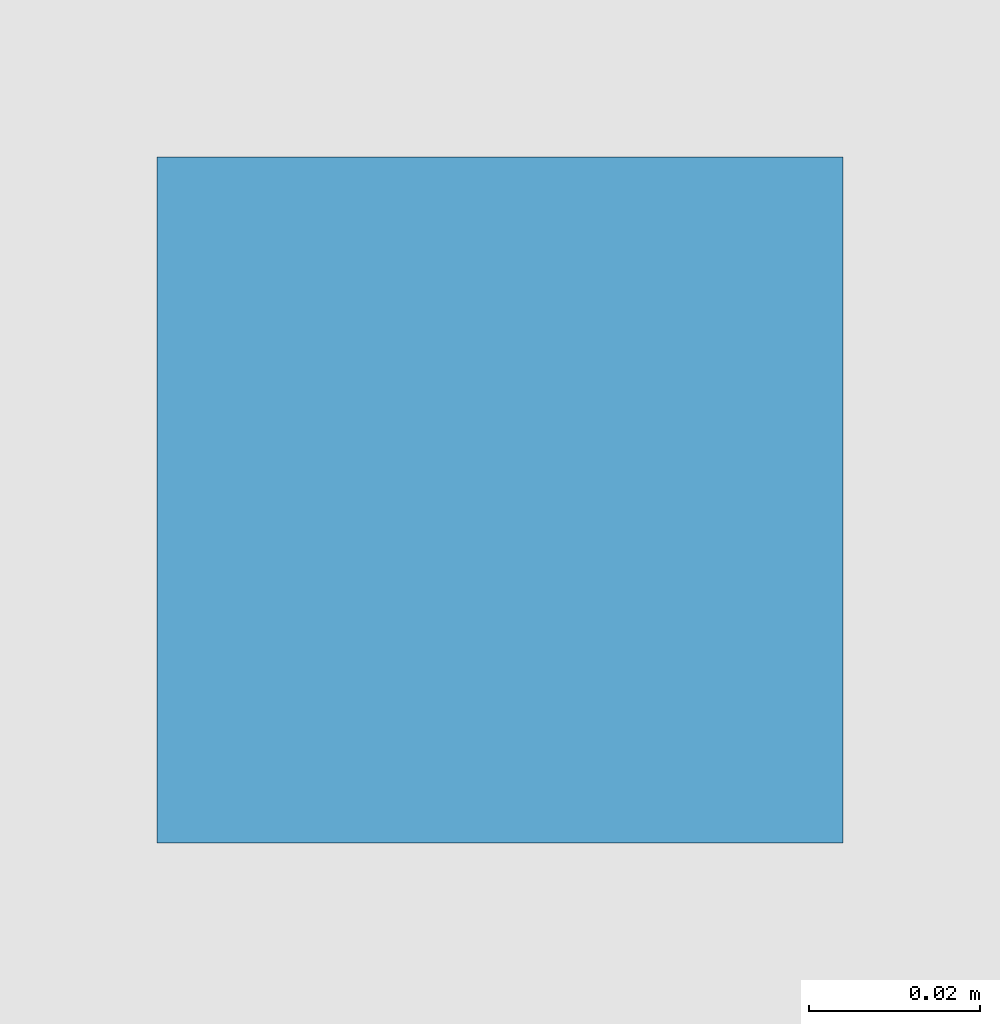
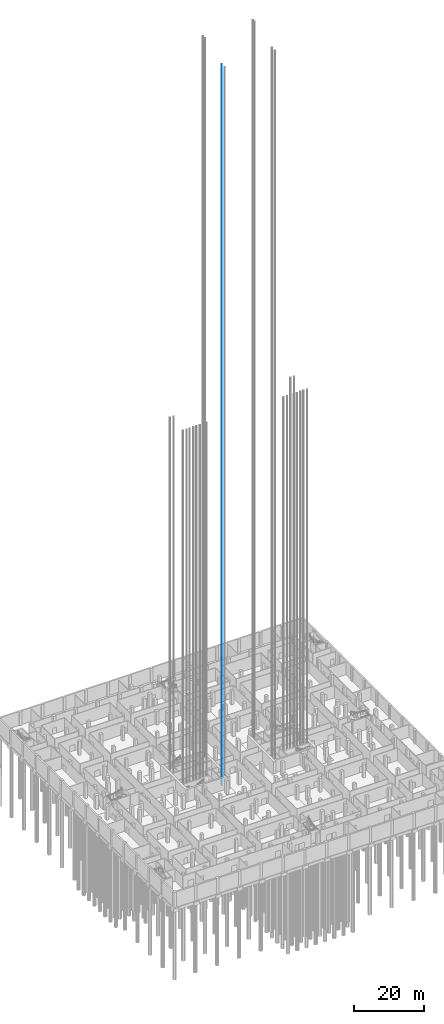
# One storey, part 35 of 54: 1 discrete accessory.
"""IFC4 building model written with IfcOpenShell, lengths in metres."""

import ifcopenshell
import ifcopenshell.guid

model = None  # the IFC model being written
_history = None  # IfcOwnerHistory: only IFC2X3 demands one
_inside = {}  # id of a spatial element -> (the spatial element, [elements in it])
_under = {}  # id of a project, library or spatial element -> (it, [spatial elements below it])
_declared = {}  # id of a project -> (the project, [libraries it declares])
_typed = {}  # id of a type object -> (the type object, [elements of that type])
_made_of = {}  # id of a material, layer set ... -> (it, [elements and type objects made of it])


def new_model(schema):
    """Start an empty IFC model of exactly this schema.

    Asked for "IFC4X3", IfcOpenShell would pick the latest addendum, in which some entities
    have other attributes; the version numbers below select the first issue.
    IFC2X3 requires an IfcOwnerHistory on every rooted entity: one is made here for all.
    """
    global model, _history
    if schema == "IFC4X3":
        model = ifcopenshell.file(schema_version=(4, 3, 0, 0))
    else:
        model = ifcopenshell.file(schema=schema)
    _inside.clear()
    _under.clear()
    _declared.clear()
    _typed.clear()
    _made_of.clear()
    _history = None
    if model.schema == "IFC2X3":
        org = make("IfcOrganization", Name="unknown")
        user = make(
            "IfcPersonAndOrganization",
            ThePerson=make("IfcPerson", FamilyName="unknown"),
            TheOrganization=org,
        )
        app = make(
            "IfcApplication",
            ApplicationDeveloper=org,
            Version="unknown",
            ApplicationFullName="unknown",
            ApplicationIdentifier="unknown",
        )
        _history = make(
            "IfcOwnerHistory",
            OwningUser=user,
            OwningApplication=app,
            ChangeAction="ADDED",
            CreationDate=0,
        )
    return model


def make(cls, **values):
    """One entity of the class cls with the attributes given. An attribute that is None is left unset."""
    return model.create_entity(
        cls, **{name: value for name, value in values.items() if value is not None}
    )


def rooted(cls, **values):
    """An entity with a GlobalId (a new one), such as an element, a storey or a relation."""
    return make(cls, GlobalId=ifcopenshell.guid.new(), OwnerHistory=_history, **values)


def si_unit(unit_type, name, prefix=None):
    """IfcSIUnit, for example si_unit("LENGTHUNIT", "METRE", prefix="MILLI")."""
    return make("IfcSIUnit", UnitType=unit_type, Prefix=prefix, Name=name)


def assignment(units):
    """IfcUnitAssignment: the units of a project."""
    return None if units is None else make("IfcUnitAssignment", Units=units)


def point(xyz):
    """IfcCartesianPoint."""
    return None if xyz is None else make("IfcCartesianPoint", Coordinates=xyz)


def direction(xyz):
    """IfcDirection."""
    return None if xyz is None else make("IfcDirection", DirectionRatios=xyz)


def frame(location, z_axis=None, x_axis=None):
    """IfcAxis2Placement3D, a coordinate frame: its origin and axes. An axis left out is left unset."""
    return make(
        "IfcAxis2Placement3D",
        Location=point(location),
        Axis=direction(z_axis),
        RefDirection=direction(x_axis),
    )


def frame_2d(location, x_axis=None):
    """IfcAxis2Placement2D, a coordinate frame in the plane: its origin and x axis."""
    return make(
        "IfcAxis2Placement2D", Location=point(location), RefDirection=direction(x_axis)
    )


def origin():
    """The frame at (0, 0, 0) with its axes left unset."""
    return frame((0.0, 0.0, 0.0))


def origin_2d():
    """The frame at (0, 0) in the plane with its x axis left unset."""
    return frame_2d((0.0, 0.0))


def place(relative_to, where):
    """IfcLocalPlacement: puts the frame where relative to a parent placement (None: the world)."""
    return make(
        "IfcLocalPlacement", PlacementRelTo=relative_to, RelativePlacement=where
    )


def context(
    kind, dimensions, precision=None, world=None, true_north=None, identifier=None
):
    """IfcGeometricRepresentationContext, for example the 3D "Model" context."""
    return make(
        "IfcGeometricRepresentationContext",
        ContextIdentifier=identifier,
        ContextType=kind,
        CoordinateSpaceDimension=dimensions,
        Precision=precision,
        WorldCoordinateSystem=world,
        TrueNorth=true_north,
    )


def subcontext(parent, identifier, kind, view, scale=None):
    """IfcGeometricRepresentationSubContext, for example "Body" below "Model"."""
    return make(
        "IfcGeometricRepresentationSubContext",
        ContextIdentifier=identifier,
        ContextType=kind,
        ParentContext=parent,
        TargetScale=scale,
        TargetView=view,
    )


def project(units=None, contexts=None):
    """IfcProject with its units and contexts."""
    return rooted(
        "IfcProject",
        Name="project",
        RepresentationContexts=contexts,
        UnitsInContext=assignment(units),
    )


def spatial(cls, under=None, at=None, **own):
    """A site, building, storey or space (cls), placed at a placement, below another one or the project."""
    s = rooted(cls, ObjectPlacement=at, **own)
    if under is not None:
        _under.setdefault(under.id(), (under, []))[1].append(s)
    return s


def profile(cls, at=None, kind="AREA", **sizes):
    """A parametric profile (cls). Its sizes go by their IFC names, for example OverallWidth=200.0."""
    return make(cls, ProfileType=kind, Position=at, **sizes)


def rectangle(**sizes):
    """IfcRectangleProfileDef."""
    return profile("IfcRectangleProfileDef", **sizes)


def extrude(swept, where, along, depth):
    """IfcExtrudedAreaSolid: the profile swept, set in the frame where, extruded along a direction by depth."""
    return make(
        "IfcExtrudedAreaSolid",
        SweptArea=swept,
        Position=where,
        ExtrudedDirection=direction(along),
        Depth=depth,
    )


def shape(context_of_items, identifier, shape_type, items):
    """IfcShapeRepresentation: the items that make up one representation, for example the "Body"."""
    return make(
        "IfcShapeRepresentation",
        ContextOfItems=context_of_items,
        RepresentationIdentifier=identifier,
        RepresentationType=shape_type,
        Items=items,
    )


def material(Name=None, Category=None):
    """IfcMaterial."""
    return make("IfcMaterial", Name=Name, Category=Category)


def made_of(thing, what):
    """Note that an element or type object is made of a material, layer set ...; save() writes the relation."""
    if what is not None:
        _made_of.setdefault(what.id(), (what, []))[1].append(thing)
    return thing


def element(
    cls,
    number,
    at=None,
    inside=None,
    cuts=None,
    type_object=None,
    material=None,
    context=None,
    identifier="Body",
    shape_type=None,
    held_by="IfcProductDefinitionShape",
    body=None,
    shapes=None,
    **own,
):
    """One element of the class cls, such as IfcWall. Its Tag is "e" and its number.

    at: its placement. inside: the storey or other place that contains it. cuts: it is an
    opening in that element (IfcRelVoidsElement). A single representation is given by context,
    identifier, shape_type and body (its items); several are given by shapes. held_by: the class
    of the entity that holds the representations. save() writes the other relations.
    """
    e = rooted(cls, Tag="e%d" % number, ObjectPlacement=at, **own)
    if body is not None:
        shapes = [shape(context, identifier, shape_type, body)]
    if shapes is not None:
        e.Representation = make(held_by, Representations=shapes)
    if inside is not None:
        _inside.setdefault(inside.id(), (inside, []))[1].append(e)
    if cuts is not None:
        rooted(
            "IfcRelVoidsElement", RelatingBuildingElement=cuts, RelatedOpeningElement=e
        )
    if type_object is not None:
        _typed.setdefault(type_object.id(), (type_object, []))[1].append(e)
    return made_of(e, material)


def aggregate(whole, parts):
    """IfcRelAggregates: a whole, such as a stair, and the parts it consists of."""
    return rooted("IfcRelAggregates", RelatingObject=whole, RelatedObjects=parts)


def save(model, path):
    """Write the relations noted so far, then the file.

    IfcRelAggregates (storeys below a building ...), IfcRelContainedInSpatialStructure (elements
    in a storey), IfcRelDefinesByType, IfcRelAssociatesMaterial and IfcRelDeclares: one each for
    every whole, place, type object, material and project.
    """
    for whole, parts in _under.values():
        aggregate(whole, parts)
    for where, things in _inside.values():
        rooted(
            "IfcRelContainedInSpatialStructure",
            RelatedElements=things,
            RelatingStructure=where,
        )
    for kind, things in _typed.values():
        rooted("IfcRelDefinesByType", RelatedObjects=things, RelatingType=kind)
    for what, things in _made_of.values():
        rooted("IfcRelAssociatesMaterial", RelatedObjects=things, RelatingMaterial=what)
    for by, libraries in _declared.values():
        rooted("IfcRelDeclares", RelatingContext=by, RelatedDefinitions=libraries)
    model.write(path)


model = new_model("IFC4")

# Units and contexts
model_context = context("Model", 3, precision=1e-05, world=origin(), true_north=direction((0.0, 1.0)))
body_context = subcontext(model_context, "Body", "Model", "MODEL_VIEW")
ifc_project = project(units=[si_unit("LENGTHUNIT", "METRE"), si_unit("AREAUNIT", "SQUARE_METRE"), si_unit("VOLUMEUNIT", "CUBIC_METRE"), si_unit("PLANEANGLEUNIT", "RADIAN"), si_unit("MASSUNIT", "GRAM", prefix="KILO")], contexts=[model_context])

# Site, building, storey
site_placement = place(None, origin())
site = spatial("IfcSite", under=ifc_project, at=site_placement, CompositionType="ELEMENT")
building_placement = place(site_placement, origin())
building = spatial("IfcBuilding", under=site, at=building_placement, Name="Fustian Cross Tower", CompositionType="ELEMENT")
storey_placement = place(building_placement, frame((0.0, 0.0, -4.800048828125)))
storey = spatial("IfcBuildingStorey", under=building, at=storey_placement, Name="B1", CompositionType="ELEMENT", Elevation=-4.800048828125)

# Discrete accessory
ifc_material = material(Name="Steel S355", Category="steel")
discrete_accessory_placement = place(storey_placement, frame((-8.2900390625, -4.699951171875, 0.0), z_axis=(0.0, 0.0, 1.0), x_axis=(1.0, 0.0, 0.0)))
element("IfcDiscreteAccessory", 1, at=discrete_accessory_placement, inside=storey, material=ifc_material, Name="Lift guide rail SV1W 2", PredefinedType="NOTDEFINED", context=body_context, shape_type="SweptSolid", body=[
    extrude(rectangle(XDim=0.080078125, YDim=0.080078125, at=origin_2d()), origin(), (0.0, 0.0, 1.0), 251.300048828125),
])

save(model, "model.ifc")
